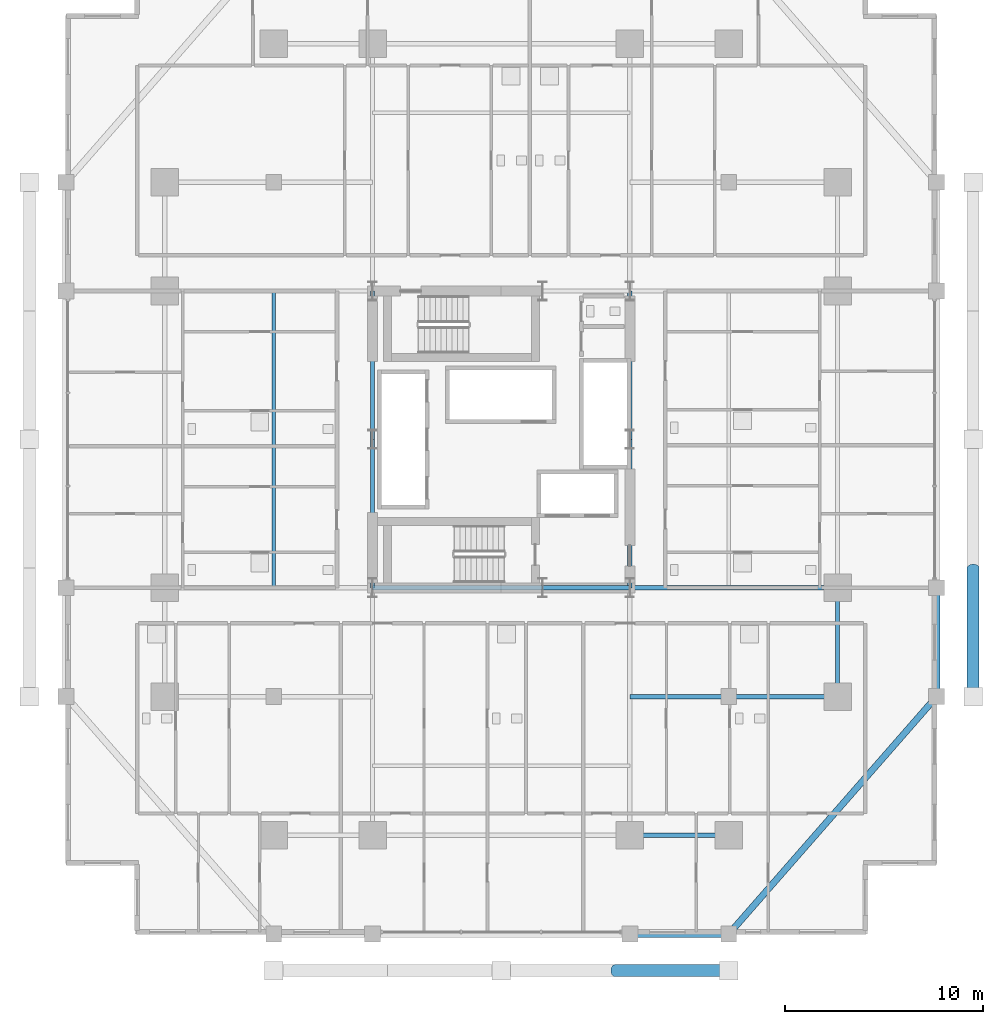
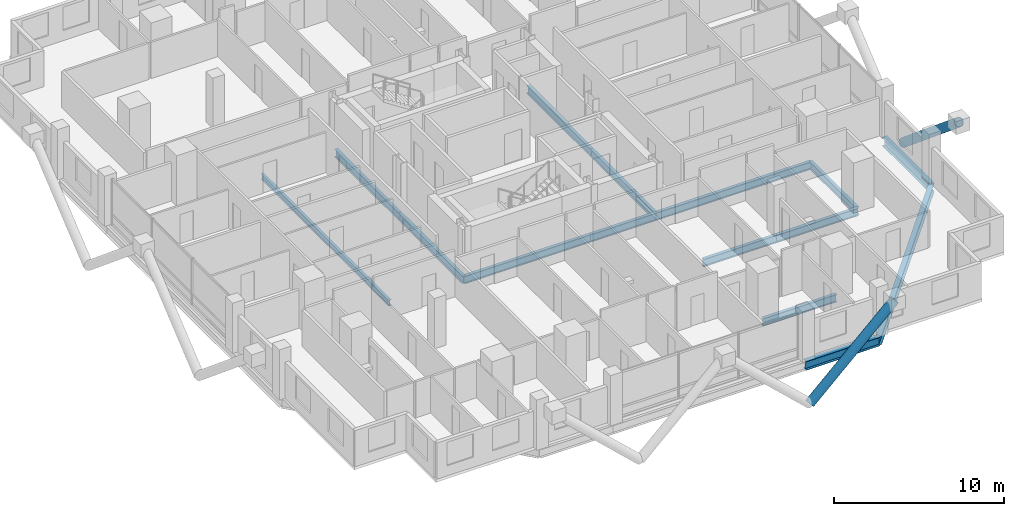
# One storey, part 7 of 24: 15 beams, 2 members.
"""IFC4 building model written with IfcOpenShell, lengths in metres."""

from ifc_helpers import new_model, si_unit, direction, frame, origin, origin_2d, place, context, subcontext, project, spatial, hollow_circle, i_section, extrude, material, material_profile, profile_set, type_object, element, save


model = new_model("IFC4")

# Units and contexts
model_context = context("Model", 3, precision=1e-05, world=origin(), true_north=direction((0.0, 1.0)))
body_context = subcontext(model_context, "Body", "Model", "MODEL_VIEW")
ifc_project = project(units=[si_unit("LENGTHUNIT", "METRE"), si_unit("AREAUNIT", "SQUARE_METRE"), si_unit("VOLUMEUNIT", "CUBIC_METRE"), si_unit("PLANEANGLEUNIT", "RADIAN"), si_unit("MASSUNIT", "GRAM", prefix="KILO")], contexts=[model_context])

# Site, building, storey
site_placement = place(None, origin())
site = spatial("IfcSite", under=ifc_project, at=site_placement, CompositionType="ELEMENT")
building_placement = place(site_placement, origin())
building = spatial("IfcBuilding", under=site, at=building_placement, Name="Barlavira Tower and Art Museum", CompositionType="ELEMENT")
storey_placement = place(building_placement, frame((0.0, 0.0, 90.0)))
storey = spatial("IfcBuildingStorey", under=building, at=storey_placement, Name="L22", CompositionType="ELEMENT", Elevation=90.0)

# Members
ifc_material = material(Name="Steel S355", Category="steel")
ifc_material_profile_1 = material_profile(ifc_material, hollow_circle(Radius=0.304931640625, WallThickness=0.028076171875, at=origin_2d()), Name="CHS 610.0x28.0")
ifc_profile_set_1 = profile_set([ifc_material_profile_1], Name="Steel S355")
member_type = type_object("IfcMemberType", Name="Pale-Metal Exoskeleton Diagrid Tube CHS 610x28 Steel S355", PredefinedType="BRACE", material=ifc_profile_set_1)
member_1_placement = place(storey_placement, frame((5.75, -26.85009765625, -1.919921875), z_axis=(0.728950095515, 0.0, 0.684566839869), x_axis=(0.0, 1.0, 0.0)))
element("IfcMember", 1, at=member_1_placement, inside=storey, type_object=member_type, Name="L22 Exoskeleton Diagrid Tube S", PredefinedType="BRACE", context=body_context, shape_type="SweptSolid", body=[
    extrude(hollow_circle(Radius=0.304931640625, WallThickness=0.028076171875, at=origin_2d()), origin(), (0.0, 0.0, 1.0), 7.887939453125),
])
member_2_placement = place(storey_placement, frame((23.85009765625, -6.5, -1.919921875), z_axis=(0.0, -0.769196053329, 0.639012857104), x_axis=(1.0, 0.0, 0.0)))
element("IfcMember", 2, at=member_2_placement, inside=storey, type_object=member_type, Name="L22 Exoskeleton Diagrid Tube E", PredefinedType="BRACE", context=body_context, shape_type="SweptSolid", body=[
    extrude(hollow_circle(Radius=0.304931640625, WallThickness=0.028076171875, at=origin_2d()), origin(), (0.0, 0.0, 1.0), 8.450439453125),
])

# Beams
ifc_material_profile_2 = material_profile(ifc_material, i_section(OverallWidth=0.327880859375, OverallDepth=0.62890625, WebThickness=0.013916015625, FlangeThickness=0.021484375, at=origin_2d()), Name="W610x174.0")
ifc_profile_set_2 = profile_set([ifc_material_profile_2], Name="Steel S355")
beam_type_1 = type_object("IfcBeamType", Name="Perimeter Spandrel Edge Beam W610x174 Steel S355", PredefinedType="SPANDREL", material=ifc_profile_set_2)
beam_1_placement = place(storey_placement, frame((6.5, -25.0, -0.534423828125), z_axis=(1.0, 0.0, 0.0), x_axis=(0.0, 1.0, 0.0)))
element("IfcBeam", 3, at=beam_1_placement, inside=storey, type_object=beam_type_1, Name="L22 Spandrel 3", PredefinedType="SPANDREL", context=body_context, shape_type="SweptSolid", body=[
    extrude(i_section(OverallWidth=0.327880859375, OverallDepth=0.62890625, WebThickness=0.013916015625, FlangeThickness=0.021484375, at=origin_2d()), origin(), (0.0, 0.0, 1.0), 5.0),
])
beam_2_placement = place(storey_placement, frame((11.5, -25.0, -0.534423828125), z_axis=(0.658504607869, 0.752576694707, 0.0), x_axis=(-0.752576694707, 0.658504607869, 0.0)))
element("IfcBeam", 4, at=beam_2_placement, inside=storey, type_object=beam_type_1, Name="L22 Spandrel 4", PredefinedType="SPANDREL", context=body_context, shape_type="SweptSolid", body=[
    extrude(i_section(OverallWidth=0.327880859375, OverallDepth=0.62890625, WebThickness=0.013916015625, FlangeThickness=0.021484375, at=origin_2d()), origin(), (0.0, 0.0, 1.0), 15.9453125),
])
beam_3_placement = place(storey_placement, frame((22.0, -13.0, -0.534423828125), z_axis=(0.0, 1.0, 0.0), x_axis=(-1.0, 0.0, 0.0)))
element("IfcBeam", 5, at=beam_3_placement, inside=storey, type_object=beam_type_1, Name="L22 Spandrel 5", PredefinedType="SPANDREL", context=body_context, shape_type="SweptSolid", body=[
    extrude(i_section(OverallWidth=0.327880859375, OverallDepth=0.62890625, WebThickness=0.013916015625, FlangeThickness=0.021484375, at=origin_2d()), origin(), (0.0, 0.0, 1.0), 5.5),
])
ifc_material_profile_3 = material_profile(ifc_material, i_section(OverallWidth=0.180908203125, OverallDepth=0.4169921875, WebThickness=0.010986328125, FlangeThickness=0.018310546875, at=origin_2d()), Name="W410x85.0")
ifc_profile_set_3 = profile_set([ifc_material_profile_3], Name="Steel S355")
beam_type_2 = type_object("IfcBeamType", Name="Zone 1 Composite Floor Joist W410x85 Steel S355", PredefinedType="JOIST", material=ifc_profile_set_3)
beam_4_placement = place(storey_placement, frame((-11.5, -7.5, -0.428466796875), z_axis=(0.0, 1.0, 0.0), x_axis=(-1.0, 0.0, 0.0)))
element("IfcBeam", 6, at=beam_4_placement, inside=storey, type_object=beam_type_2, Name="L22 Joist W1", PredefinedType="JOIST", context=body_context, shape_type="SweptSolid", body=[
    extrude(i_section(OverallWidth=0.180908203125, OverallDepth=0.4169921875, WebThickness=0.010986328125, FlangeThickness=0.018310546875, at=origin_2d()), origin(), (0.0, 0.0, 1.0), 15.0),
])
ifc_material_profile_4 = material_profile(ifc_material, i_section(OverallWidth=0.214111328125, OverallDepth=0.549072265625, WebThickness=0.0146484375, FlangeThickness=0.023681640625, at=origin_2d()), Name="W530x138.0")
ifc_profile_set_4 = profile_set([ifc_material_profile_4], Name="Steel S355")
beam_type_3 = type_object("IfcBeamType", Name="Zone 1 Primary Floor Girder W530x138 Steel S355", PredefinedType="BEAM", material=ifc_profile_set_4)
beam_5_placement = place(storey_placement, frame((-6.5, -7.5, -0.494384765625), z_axis=(1.0, 0.0, 0.0), x_axis=(0.0, 1.0, 0.0)))
element("IfcBeam", 7, at=beam_5_placement, inside=storey, type_object=beam_type_3, Name="L22 Girder C-S1", PredefinedType="BEAM", context=body_context, shape_type="SweptSolid", body=[
    extrude(i_section(OverallWidth=0.214111328125, OverallDepth=0.549072265625, WebThickness=0.0146484375, FlangeThickness=0.023681640625, at=origin_2d()), origin(), (0.0, 0.0, 1.0), 8.580078125),
])
beam_6_placement = place(storey_placement, frame((2.080078125, -7.5, -0.494384765625), z_axis=(1.0, 0.0, 0.0), x_axis=(0.0, 1.0, 0.0)))
element("IfcBeam", 8, at=beam_6_placement, inside=storey, type_object=beam_type_3, Name="L22 Girder C-S2", PredefinedType="BEAM", context=body_context, shape_type="SweptSolid", body=[
    extrude(i_section(OverallWidth=0.214111328125, OverallDepth=0.549072265625, WebThickness=0.0146484375, FlangeThickness=0.023681640625, at=origin_2d()), origin(), (0.0, 0.0, 1.0), 4.419921875),
])
for number, where, z_axis, x_axis, name in (
    (9, (-6.5, -7.5, -0.494384765625), (0.0, 1.0, 0.0), (-1.0, 0.0, 0.0), "L22 Girder C-W1"),
    (10, (-6.5, 0.0, -0.494384765625), (0.0, 1.0, 0.0), (-1.0, 0.0, 0.0), "L22 Girder C-W2"),
    (11, (6.5, -7.5, -0.494384765625), (0.0, 1.0, 0.0), (-1.0, 0.0, 0.0), "L22 Girder C-E1"),
    (12, (6.5, 0.0, -0.494384765625), (0.0, 1.0, 0.0), (-1.0, 0.0, 0.0), "L22 Girder C-E2"),
):
    element("IfcBeam", number, at=place(storey_placement, frame(where, z_axis=z_axis, x_axis=x_axis)), inside=storey, type_object=beam_type_3, Name=name, PredefinedType="BEAM", context=body_context, shape_type="SweptSolid", body=[
        extrude(i_section(OverallWidth=0.214111328125, OverallDepth=0.549072265625, WebThickness=0.0146484375, FlangeThickness=0.023681640625, at=origin_2d()), origin(), (0.0, 0.0, 1.0), 7.5),
    ])
beam_7_placement = place(storey_placement, frame((6.5, -20.0, -0.494384765625), z_axis=(1.0, 0.0, 0.0), x_axis=(0.0, 1.0, 0.0)))
element("IfcBeam", 13, at=beam_7_placement, inside=storey, type_object=beam_type_3, Name="L22 Girder M-S3", PredefinedType="BEAM", context=body_context, shape_type="SweptSolid", body=[
    extrude(i_section(OverallWidth=0.214111328125, OverallDepth=0.549072265625, WebThickness=0.0146484375, FlangeThickness=0.023681640625, at=origin_2d()), origin(), (0.0, 0.0, 1.0), 5.0),
])
beam_8_placement = place(storey_placement, frame((17.0, -13.0, -0.494384765625), z_axis=(0.0, 1.0, 0.0), x_axis=(-1.0, 0.0, 0.0)))
element("IfcBeam", 14, at=beam_8_placement, inside=storey, type_object=beam_type_3, Name="L22 Girder M-E1", PredefinedType="BEAM", context=body_context, shape_type="SweptSolid", body=[
    extrude(i_section(OverallWidth=0.214111328125, OverallDepth=0.549072265625, WebThickness=0.0146484375, FlangeThickness=0.023681640625, at=origin_2d()), origin(), (0.0, 0.0, 1.0), 5.5),
])
beam_9_placement = place(storey_placement, frame((6.5, -7.5, -0.494384765625), z_axis=(1.0, 0.0, 0.0), x_axis=(0.0, 1.0, 0.0)))
element("IfcBeam", 15, at=beam_9_placement, inside=storey, type_object=beam_type_3, Name="L22 Girder R-E1", PredefinedType="BEAM", context=body_context, shape_type="SweptSolid", body=[
    extrude(i_section(OverallWidth=0.214111328125, OverallDepth=0.549072265625, WebThickness=0.0146484375, FlangeThickness=0.023681640625, at=origin_2d()), origin(), (0.0, 0.0, 1.0), 10.5),
])
beam_10_placement = place(storey_placement, frame((6.5, -13.0, -0.494384765625), z_axis=(1.0, 0.0, 0.0), x_axis=(0.0, 1.0, 0.0)))
element("IfcBeam", 16, at=beam_10_placement, inside=storey, type_object=beam_type_3, Name="L22 Girder I-S3", PredefinedType="BEAM", context=body_context, shape_type="SweptSolid", body=[
    extrude(i_section(OverallWidth=0.214111328125, OverallDepth=0.549072265625, WebThickness=0.0146484375, FlangeThickness=0.023681640625, at=origin_2d()), origin(), (0.0, 0.0, 1.0), 5.0),
])
beam_11_placement = place(storey_placement, frame((11.5, -13.0, -0.494384765625), z_axis=(1.0, 0.0, 0.0), x_axis=(0.0, 1.0, 0.0)))
element("IfcBeam", 17, at=beam_11_placement, inside=storey, type_object=beam_type_3, Name="L22 Girder I-S4", PredefinedType="BEAM", context=body_context, shape_type="SweptSolid", body=[
    extrude(i_section(OverallWidth=0.214111328125, OverallDepth=0.549072265625, WebThickness=0.0146484375, FlangeThickness=0.023681640625, at=origin_2d()), origin(), (0.0, 0.0, 1.0), 5.5),
])

save(model, "model.ifc")
